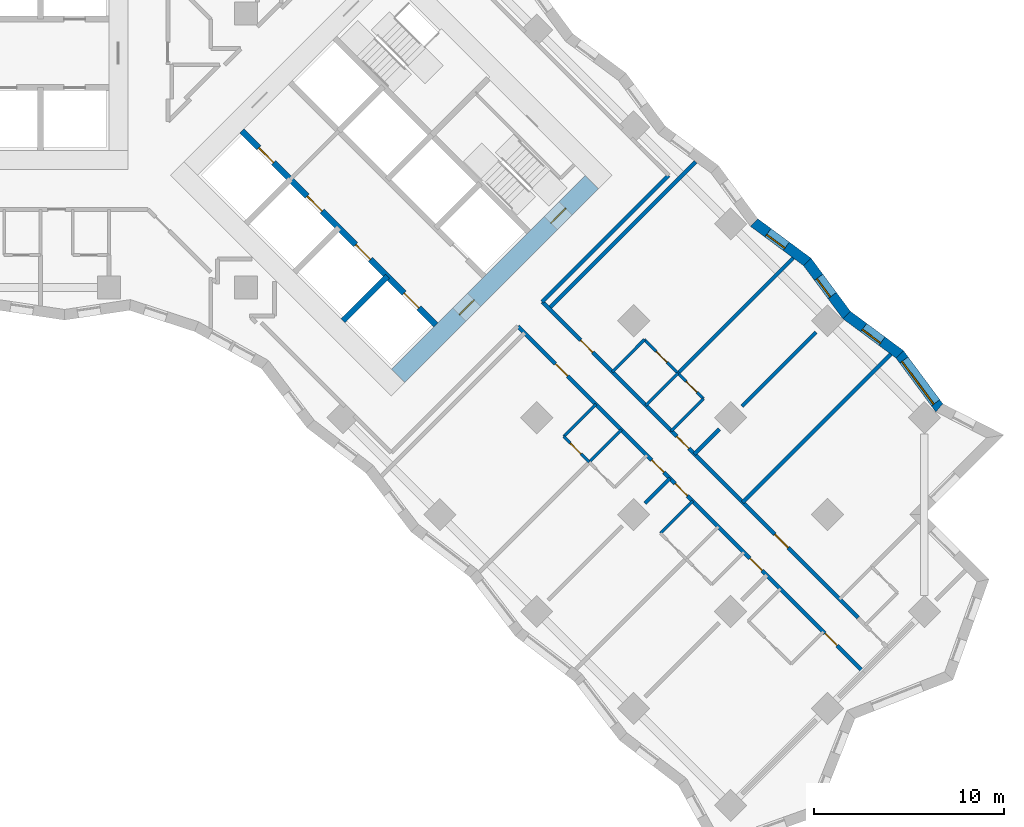
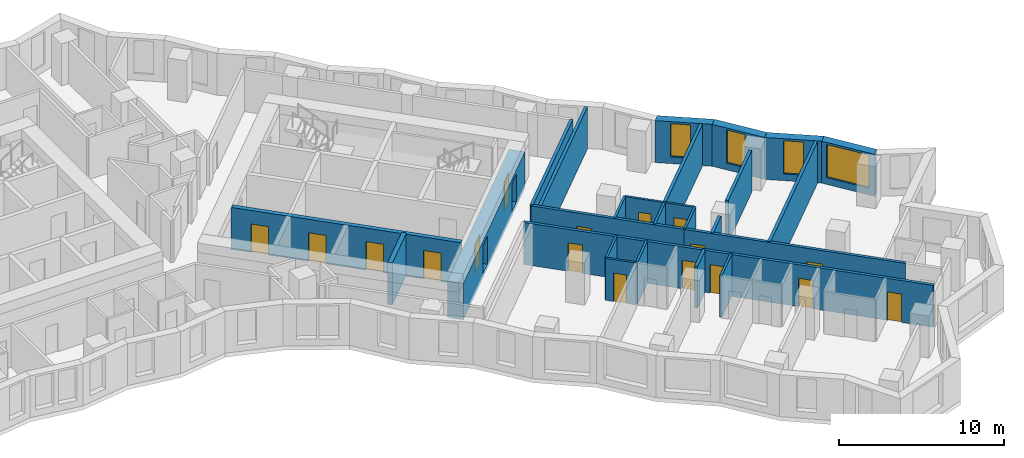
# One storey, part 8 of 12: 25 walls, 17 doors, 4 windows, 21 openings.
"""IFC4 building model written with IfcOpenShell, lengths in metres."""

from ifc_helpers import new_model, si_unit, direction, frame, frame_2d, origin, place, context, subcontext, project, spatial, polyline, rectangle, outline, extrude, material, layer, layer_set, type_object, element, fill, save


model = new_model("IFC4")

# Units and contexts
model_context = context("Model", 3, precision=1e-05, world=origin(), true_north=direction((0.0, 1.0)))
body_context = subcontext(model_context, "Body", "Model", "MODEL_VIEW")
ifc_project = project(units=[si_unit("LENGTHUNIT", "METRE"), si_unit("AREAUNIT", "SQUARE_METRE"), si_unit("VOLUMEUNIT", "CUBIC_METRE"), si_unit("PLANEANGLEUNIT", "RADIAN"), si_unit("MASSUNIT", "GRAM", prefix="KILO")], contexts=[model_context])

# Site, building, storey
site_placement = place(None, origin())
site = spatial("IfcSite", under=ifc_project, at=site_placement, CompositionType="ELEMENT")
building_placement = place(site_placement, origin())
building = spatial("IfcBuilding", under=site, at=building_placement, Name="Windrow Commons", CompositionType="ELEMENT")
storey_placement = place(building_placement, frame((0.0, 0.0, 50.8)))
storey = spatial("IfcBuildingStorey", under=building, at=storey_placement, Name="L13", CompositionType="ELEMENT", Elevation=50.8)

# Wall, opening, window
ifc_material_1 = material(Name="Brick masonry, red clay brick", Category="masonry")
ifc_layer_1 = layer(ifc_material_1, 0.55)
ifc_layer_set_1 = layer_set([ifc_layer_1], Name="Brick facade wall 550")
wall_type_1 = type_object("IfcWallType", Name="Brick facade wall 550", PredefinedType="SOLIDWALL", material=ifc_layer_set_1)
wall_1_placement = place(storey_placement, frame((115.6209, 36.8781, 0.0), z_axis=(0.0, 0.0, 1.0), x_axis=(-0.5951290514, 0.8036301464, 0.0)))
wall_1 = element("IfcWall", 1, at=wall_1_placement, inside=storey, type_object=wall_type_1, Name="Brick facade wall L13 8", PredefinedType="SOLIDWALL", context=body_context, shape_type="SweptSolid", body=[
    extrude(outline(polyline([(0.0645, -0.275), (3.5373, -0.275), (3.4554, 0.275), (-0.0645, 0.275), (0.0645, -0.275)])), origin(), (0.0, 0.0, 1.0), 3.1),
])
opening_1_placement = place(wall_1_placement, frame((0.3277, 0.0, 0.5)))
opening_1 = element("IfcOpeningElement", 2, at=opening_1_placement, cuts=wall_1, Name="Opening W1T", PredefinedType="OPENING", context=body_context, shape_type="SweptSolid", body=[
    extrude(rectangle(XDim=2.8, YDim=2.45, at=frame_2d((1.4, 1.225))), frame((0.0, 0.285, 0.0), z_axis=(0.0, -1.0, 0.0), x_axis=(1.0, 0.0, 0.0)), (0.0, 0.0, 1.0), 0.57),
])
ifc_material_2 = material(Name="Clear float glass in anodised aluminium frame", Category="aluminium")
window_type_1 = type_object("IfcWindowType", Name="Window W1T bedroom 2800x2450", PartitioningType="SINGLE_PANEL", PredefinedType="WINDOW", material=ifc_material_2)
window_1_placement = place(opening_1_placement, origin())
window_1 = element("IfcWindow", 3, at=window_1_placement, inside=storey, type_object=window_type_1, Name="Window L13 8.1", OverallHeight=2.45, OverallWidth=2.8, PartitioningType="SINGLE_PANEL", PredefinedType="WINDOW", context=body_context, shape_type="SweptSolid", body=[
    extrude(rectangle(XDim=2.8, YDim=2.45, at=frame_2d((1.4, 1.225))), frame((0.0, 0.155, 0.0), z_axis=(0.0, -1.0, 0.0), x_axis=(1.0, 0.0, 0.0)), (0.0, 0.0, 1.0), 0.06),
])
fill(opening_1, window_1)

wall_2_placement = place(storey_placement, frame((113.5401, 39.6879, 0.0), z_axis=(0.0, 0.0, 1.0), x_axis=(-0.8036342136, 0.5951235593, 0.0)))
wall_2 = element("IfcWall", 4, at=wall_2_placement, inside=storey, type_object=wall_type_1, Name="Brick facade wall L13 9", PredefinedType="SOLIDWALL", context=body_context, shape_type="SweptSolid", body=[
    extrude(outline(polyline([(-0.041, -0.275), (3.4318, -0.275), (3.5138, 0.275), (0.041, 0.275), (-0.041, -0.275)])), origin(), (0.0, 0.0, 1.0), 3.1),
])
opening_2_placement = place(wall_2_placement, frame((1.1569, 0.0, 0.5)))
opening_2 = element("IfcOpeningElement", 5, at=opening_2_placement, cuts=wall_2, Name="Opening W7D", PredefinedType="OPENING", context=body_context, shape_type="SweptSolid", body=[
    extrude(rectangle(XDim=1.2, YDim=2.45, at=frame_2d((0.6, 1.225))), frame((0.0, 0.285, 0.0), z_axis=(0.0, -1.0, 0.0), x_axis=(1.0, 0.0, 0.0)), (0.0, 0.0, 1.0), 0.57),
])
ifc_material_3 = material(Name="Clear float glass in anodised aluminium frame", Category="aluminium")
window_type_2 = type_object("IfcWindowType", Name="Window W7 notch 1200x2450", PartitioningType="SINGLE_PANEL", PredefinedType="WINDOW", material=ifc_material_3)
window_2_placement = place(opening_2_placement, origin())
window_2 = element("IfcWindow", 6, at=window_2_placement, inside=storey, type_object=window_type_2, Name="Window L13 9.1", OverallHeight=2.45, OverallWidth=1.2, PartitioningType="SINGLE_PANEL", PredefinedType="WINDOW", context=body_context, shape_type="SweptSolid", body=[
    extrude(rectangle(XDim=1.2, YDim=2.45, at=frame_2d((0.6, 1.225))), frame((0.0, 0.155, 0.0), z_axis=(0.0, -1.0, 0.0), x_axis=(1.0, 0.0, 0.0)), (0.0, 0.0, 1.0), 0.06),
])
fill(opening_2, window_2)

wall_3_placement = place(storey_placement, frame((110.7493, 41.7546, 0.0), z_axis=(0.0, 0.0, 1.0), x_axis=(-0.5951283843, 0.8036306404, 0.0)))
wall_3 = element("IfcWall", 7, at=wall_3_placement, inside=storey, type_object=wall_type_1, Name="Brick facade wall L13 10", PredefinedType="SOLIDWALL", context=body_context, shape_type="SweptSolid", body=[
    extrude(outline(polyline([(0.041, -0.275), (3.5138, -0.275), (3.4318, 0.275), (-0.041, 0.275), (0.041, -0.275)])), origin(), (0.0, 0.0, 1.0), 3.1),
])
opening_3_placement = place(wall_3_placement, frame((1.2663, 0.0, 0.5)))
opening_3 = element("IfcOpeningElement", 8, at=opening_3_placement, cuts=wall_3, Name="Opening W7D", PredefinedType="OPENING", context=body_context, shape_type="SweptSolid", body=[
    extrude(rectangle(XDim=1.2, YDim=2.45, at=frame_2d((0.6, 1.225))), frame((0.0, 0.285, 0.0), z_axis=(0.0, -1.0, 0.0), x_axis=(1.0, 0.0, 0.0)), (0.0, 0.0, 1.0), 0.57),
])
window_3_placement = place(opening_3_placement, origin())
window_3 = element("IfcWindow", 9, at=window_3_placement, inside=storey, type_object=window_type_2, Name="Window L13 10.1", OverallHeight=2.45, OverallWidth=1.2, PartitioningType="SINGLE_PANEL", PredefinedType="WINDOW", context=body_context, shape_type="SweptSolid", body=[
    extrude(rectangle(XDim=1.2, YDim=2.45, at=frame_2d((0.6, 1.225))), frame((0.0, 0.155, 0.0), z_axis=(0.0, -1.0, 0.0), x_axis=(1.0, 0.0, 0.0)), (0.0, 0.0, 1.0), 0.06),
])
fill(opening_3, window_3)

wall_4_placement = place(storey_placement, frame((108.6825, 44.5455, 0.0), z_axis=(0.0, 0.0, 1.0), x_axis=(-0.8036342136, 0.5951235593, 0.0)))
wall_4 = element("IfcWall", 10, at=wall_4_placement, inside=storey, type_object=wall_type_1, Name="Brick facade wall L13 11", PredefinedType="SOLIDWALL", context=body_context, shape_type="SweptSolid", body=[
    extrude(outline(polyline([(-0.041, -0.275), (3.4318, -0.275), (3.5138, 0.275), (0.041, 0.275), (-0.041, -0.275)])), origin(), (0.0, 0.0, 1.0), 3.1),
])
opening_4_placement = place(wall_4_placement, frame((1.3703, 0.0, 0.5)))
opening_4 = element("IfcOpeningElement", 11, at=opening_4_placement, cuts=wall_4, Name="Opening W7D", PredefinedType="OPENING", context=body_context, shape_type="SweptSolid", body=[
    extrude(rectangle(XDim=1.2, YDim=2.45, at=frame_2d((0.6, 1.225))), frame((0.0, 0.285, 0.0), z_axis=(0.0, -1.0, 0.0), x_axis=(1.0, 0.0, 0.0)), (0.0, 0.0, 1.0), 0.57),
])
window_4_placement = place(opening_4_placement, origin())
window_4 = element("IfcWindow", 12, at=window_4_placement, inside=storey, type_object=window_type_2, Name="Window L13 11.1", OverallHeight=2.45, OverallWidth=1.2, PartitioningType="SINGLE_PANEL", PredefinedType="WINDOW", context=body_context, shape_type="SweptSolid", body=[
    extrude(rectangle(XDim=1.2, YDim=2.45, at=frame_2d((0.6, 1.225))), frame((0.0, 0.155, 0.0), z_axis=(0.0, -1.0, 0.0), x_axis=(1.0, 0.0, 0.0)), (0.0, 0.0, 1.0), 0.06),
])
fill(opening_4, window_4)

# Wall, openings, doors
ifc_material_4 = material(Name="Blockwork partition", Category="masonry")
ifc_layer_2 = layer(ifc_material_4, 0.2)
ifc_layer_set_2 = layer_set([ifc_layer_2], Name="IW-CORRIDOR-200")
wall_type_2 = type_object("IfcWallType", Name="IW-CORRIDOR-200", PredefinedType="PARTITIONING", material=ifc_layer_set_2)
wall_5_placement = place(storey_placement, frame((93.4806, 41.1666, 0.0), z_axis=(0.0, 0.0, 1.0), x_axis=(0.7071067812, -0.7071067812, 0.0)))
wall_5 = element("IfcWall", 13, at=wall_5_placement, inside=storey, type_object=wall_type_2, Name="W-L13-W000", PredefinedType="PARTITIONING", context=body_context, shape_type="SweptSolid", body=[
    extrude(rectangle(XDim=25.6991, YDim=0.2, at=frame_2d((12.8496, 0.0))), origin(), (0.0, 0.0, 1.0), 3.1),
])
opening_5_placement = place(wall_5_placement, frame((2.8001, 0.0, 0.0)))
opening_5 = element("IfcOpeningElement", 14, at=opening_5_placement, cuts=wall_5, Name="Opening D109F", PredefinedType="OPENING", context=body_context, shape_type="SweptSolid", body=[
    extrude(rectangle(XDim=0.9, YDim=2.1, at=frame_2d((0.45, 1.05))), frame((0.0, 0.11, 0.0), z_axis=(0.0, -1.0, 0.0), x_axis=(1.0, 0.0, 0.0)), (0.0, 0.0, 1.0), 0.22),
])
opening_6_placement = place(wall_5_placement, frame((9.948, 0.0, 0.0)))
opening_6 = element("IfcOpeningElement", 15, at=opening_6_placement, cuts=wall_5, Name="Opening D109S", PredefinedType="OPENING", context=body_context, shape_type="SweptSolid", body=[
    extrude(rectangle(XDim=0.9, YDim=2.1, at=frame_2d((0.45, 1.05))), frame((0.0, 0.11, 0.0), z_axis=(0.0, -1.0, 0.0), x_axis=(1.0, 0.0, 0.0)), (0.0, 0.0, 1.0), 0.22),
])
opening_7_placement = place(wall_5_placement, frame((11.6996, 0.0, 0.0)))
opening_7 = element("IfcOpeningElement", 16, at=opening_7_placement, cuts=wall_5, Name="Opening D109S", PredefinedType="OPENING", context=body_context, shape_type="SweptSolid", body=[
    extrude(rectangle(XDim=0.9, YDim=2.1, at=frame_2d((0.45, 1.05))), frame((0.0, 0.11, 0.0), z_axis=(0.0, -1.0, 0.0), x_axis=(1.0, 0.0, 0.0)), (0.0, 0.0, 1.0), 0.22),
])
opening_8_placement = place(wall_5_placement, frame((17.2496, 0.0, 0.0)))
opening_8 = element("IfcOpeningElement", 17, at=opening_8_placement, cuts=wall_5, Name="Opening D109S", PredefinedType="OPENING", context=body_context, shape_type="SweptSolid", body=[
    extrude(rectangle(XDim=0.9, YDim=2.1, at=frame_2d((0.45, 1.05))), frame((0.0, 0.11, 0.0), z_axis=(0.0, -1.0, 0.0), x_axis=(1.0, 0.0, 0.0)), (0.0, 0.0, 1.0), 0.22),
])
opening_9_placement = place(wall_5_placement, frame((22.8196, 0.0, 0.0)))
opening_9 = element("IfcOpeningElement", 18, at=opening_9_placement, cuts=wall_5, Name="Opening D109F", PredefinedType="OPENING", context=body_context, shape_type="SweptSolid", body=[
    extrude(rectangle(XDim=0.9, YDim=2.1, at=frame_2d((0.45, 1.05))), frame((0.0, 0.11, 0.0), z_axis=(0.0, -1.0, 0.0), x_axis=(1.0, 0.0, 0.0)), (0.0, 0.0, 1.0), 0.22),
])
ifc_material_5 = material(Name="Timber door leaf", Category="wood")
door_type_1 = type_object("IfcDoorType", Name="DT-BEDROOM-900", OperationType="SINGLE_SWING_LEFT", PredefinedType="DOOR", material=ifc_material_5)
door_1_placement = place(opening_5_placement, origin())
door_1 = element("IfcDoor", 19, at=door_1_placement, inside=storey, type_object=door_type_1, Name="D-L13-D038", OperationType="SINGLE_SWING_LEFT", OverallHeight=2.1, OverallWidth=0.9, PredefinedType="DOOR", context=body_context, shape_type="SweptSolid", body=[
    extrude(rectangle(XDim=0.9, YDim=2.1, at=frame_2d((0.45, 1.05))), frame((0.0, 0.025, 0.0), z_axis=(0.0, -1.0, 0.0), x_axis=(1.0, 0.0, 0.0)), (0.0, 0.0, 1.0), 0.05),
])
fill(opening_5, door_1)
door_2_placement = place(opening_6_placement, origin())
door_2 = element("IfcDoor", 20, at=door_2_placement, inside=storey, type_object=door_type_1, Name="D-L13-D040", OperationType="SINGLE_SWING_LEFT", OverallHeight=2.1, OverallWidth=0.9, PredefinedType="DOOR", context=body_context, shape_type="SweptSolid", body=[
    extrude(rectangle(XDim=0.9, YDim=2.1, at=frame_2d((0.45, 1.05))), frame((0.0, 0.025, 0.0), z_axis=(0.0, -1.0, 0.0), x_axis=(1.0, 0.0, 0.0)), (0.0, 0.0, 1.0), 0.05),
])
fill(opening_6, door_2)
door_3_placement = place(opening_7_placement, origin())
door_3 = element("IfcDoor", 21, at=door_3_placement, inside=storey, type_object=door_type_1, Name="D-L13-D042", OperationType="SINGLE_SWING_RIGHT", OverallHeight=2.1, OverallWidth=0.9, PredefinedType="DOOR", context=body_context, shape_type="SweptSolid", body=[
    extrude(rectangle(XDim=0.9, YDim=2.1, at=frame_2d((0.45, 1.05))), frame((0.0, 0.025, 0.0), z_axis=(0.0, -1.0, 0.0), x_axis=(1.0, 0.0, 0.0)), (0.0, 0.0, 1.0), 0.05),
])
fill(opening_7, door_3)
door_4_placement = place(opening_8_placement, origin())
door_4 = element("IfcDoor", 22, at=door_4_placement, inside=storey, type_object=door_type_1, Name="D-L13-D044", OperationType="SINGLE_SWING_LEFT", OverallHeight=2.1, OverallWidth=0.9, PredefinedType="DOOR", context=body_context, shape_type="SweptSolid", body=[
    extrude(rectangle(XDim=0.9, YDim=2.1, at=frame_2d((0.45, 1.05))), frame((0.0, 0.025, 0.0), z_axis=(0.0, -1.0, 0.0), x_axis=(1.0, 0.0, 0.0)), (0.0, 0.0, 1.0), 0.05),
])
fill(opening_8, door_4)
door_5_placement = place(opening_9_placement, origin())
door_5 = element("IfcDoor", 23, at=door_5_placement, inside=storey, type_object=door_type_1, Name="D-L13-D046", OperationType="SINGLE_SWING_RIGHT", OverallHeight=2.1, OverallWidth=0.9, PredefinedType="DOOR", context=body_context, shape_type="SweptSolid", body=[
    extrude(rectangle(XDim=0.9, YDim=2.1, at=frame_2d((0.45, 1.05))), frame((0.0, 0.025, 0.0), z_axis=(0.0, -1.0, 0.0), x_axis=(1.0, 0.0, 0.0)), (0.0, 0.0, 1.0), 0.05),
])
fill(opening_9, door_5)

wall_6_placement = place(storey_placement, frame((111.3515, 25.8555, 0.0), z_axis=(0.0, 0.0, 1.0), x_axis=(-0.7070418597, 0.7071716967, 0.0)))
wall_6 = element("IfcWall", 24, at=wall_6_placement, inside=storey, type_object=wall_type_2, Name="W-L13-W005", PredefinedType="PARTITIONING", context=body_context, shape_type="SweptSolid", body=[
    extrude(rectangle(XDim=13.8635, YDim=0.2, at=frame_2d((6.9318, 0.0))), origin(), (0.0, 0.0, 1.0), 3.1),
])
opening_10_placement = place(wall_6_placement, frame((12.5636, 0.0, 0.0)))
opening_10 = element("IfcOpeningElement", 25, at=opening_10_placement, cuts=wall_6, Name="Opening D109S", PredefinedType="OPENING", context=body_context, shape_type="SweptSolid", body=[
    extrude(rectangle(XDim=0.9, YDim=2.1, at=frame_2d((0.45, 1.05))), frame((0.0, 0.11, 0.0), z_axis=(0.0, -1.0, 0.0), x_axis=(1.0, 0.0, 0.0)), (0.0, 0.0, 1.0), 0.22),
])
opening_11_placement = place(wall_6_placement, frame((5.1899, 0.0, 0.0)))
opening_11 = element("IfcOpeningElement", 26, at=opening_11_placement, cuts=wall_6, Name="Opening D310F", PredefinedType="OPENING", context=body_context, shape_type="SweptSolid", body=[
    extrude(rectangle(XDim=1.0, YDim=2.1, at=frame_2d((0.5, 1.05))), frame((0.0, 0.11, 0.0), z_axis=(0.0, -1.0, 0.0), x_axis=(1.0, 0.0, 0.0)), (0.0, 0.0, 1.0), 0.22),
])
ifc_material_6 = material(Name="Timber door leaf", Category="wood")
door_type_2 = type_object("IfcDoorType", Name="DT-AMENITY-1000", OperationType="SINGLE_SWING_LEFT", PredefinedType="DOOR", material=ifc_material_6)
door_6_placement = place(opening_11_placement, origin())
door_6 = element("IfcDoor", 27, at=door_6_placement, inside=storey, type_object=door_type_2, Name="D-L13-D037", OperationType="SINGLE_SWING_RIGHT", OverallHeight=2.1, OverallWidth=1.0, PredefinedType="DOOR", context=body_context, shape_type="SweptSolid", body=[
    extrude(rectangle(XDim=1.0, YDim=2.1, at=frame_2d((0.5, 1.05))), frame((0.0, 0.025, 0.0), z_axis=(0.0, -1.0, 0.0), x_axis=(1.0, 0.0, 0.0)), (0.0, 0.0, 1.0), 0.05),
])
fill(opening_11, door_6)
door_7_placement = place(opening_10_placement, origin())
door_7 = element("IfcDoor", 28, at=door_7_placement, inside=storey, type_object=door_type_1, Name="D-L13-D035", OperationType="SINGLE_SWING_RIGHT", OverallHeight=2.1, OverallWidth=0.9, PredefinedType="DOOR", context=body_context, shape_type="SweptSolid", body=[
    extrude(rectangle(XDim=0.9, YDim=2.1, at=frame_2d((0.45, 1.05))), frame((0.0, 0.025, 0.0), z_axis=(0.0, -1.0, 0.0), x_axis=(1.0, 0.0, 0.0)), (0.0, 0.0, 1.0), 0.05),
])
fill(opening_10, door_7)

# Wall, opening, door
wall_7_placement = place(storey_placement, frame((94.7615, 42.4455, 0.0), z_axis=(0.0, 0.0, 1.0), x_axis=(0.7071067812, -0.7071067812, 0.0)))
wall_7 = element("IfcWall", 29, at=wall_7_placement, inside=storey, type_object=wall_type_2, Name="W-L13-W012", PredefinedType="PARTITIONING", context=body_context, shape_type="SweptSolid", body=[
    extrude(rectangle(XDim=9.5969, YDim=0.2, at=frame_2d((4.7984, 0.0))), origin(), (0.0, 0.0, 1.0), 3.1),
])
opening_12_placement = place(wall_7_placement, frame((2.8511, 0.0, 0.0)))
opening_12 = element("IfcOpeningElement", 30, at=opening_12_placement, cuts=wall_7, Name="Opening D109F", PredefinedType="OPENING", context=body_context, shape_type="SweptSolid", body=[
    extrude(rectangle(XDim=0.9, YDim=2.1, at=frame_2d((0.45, 1.05))), frame((0.0, 0.11, 0.0), z_axis=(0.0, -1.0, 0.0), x_axis=(1.0, 0.0, 0.0)), (0.0, 0.0, 1.0), 0.22),
])
door_8_placement = place(opening_12_placement, origin())
door_8 = element("IfcDoor", 31, at=door_8_placement, inside=storey, type_object=door_type_1, Name="D-L13-D033", OperationType="SINGLE_SWING_RIGHT", OverallHeight=2.1, OverallWidth=0.9, PredefinedType="DOOR", context=body_context, shape_type="SweptSolid", body=[
    extrude(rectangle(XDim=0.9, YDim=2.1, at=frame_2d((0.45, 1.05))), frame((0.0, 0.025, 0.0), z_axis=(0.0, -1.0, 0.0), x_axis=(1.0, 0.0, 0.0)), (0.0, 0.0, 1.0), 0.05),
])
fill(opening_12, door_8)

# Wall
wall_8_placement = place(storey_placement, frame((94.7569, 42.4451, 0.0), z_axis=(0.0, 0.0, 1.0), x_axis=(0.7071067812, 0.7071067812, 0.0)))
element("IfcWall", 32, at=wall_8_placement, inside=storey, type_object=wall_type_2, Name="W-L13-W014", PredefinedType="PARTITIONING", context=body_context, shape_type="SweptSolid", body=[
    extrude(rectangle(XDim=9.3989, YDim=0.2, at=frame_2d((4.6994, 0.0))), origin(), (0.0, 0.0, 1.0), 3.1),
])

# Wall, openings, doors
ifc_material_7 = material(Name="Blockwork partition", Category="masonry")
ifc_layer_3 = layer(ifc_material_7, 0.15)
ifc_layer_set_3 = layer_set([ifc_layer_3], Name="IW-ENSUITE-150")
wall_type_3 = type_object("IfcWallType", Name="IW-ENSUITE-150", PredefinedType="PARTITIONING", material=ifc_layer_set_3)
wall_9_placement = place(storey_placement, frame((100.1265, 40.4605, 0.0), z_axis=(0.0, 0.0, 1.0), x_axis=(0.7071067812, -0.7071067812, 0.0)))
wall_9 = element("IfcWall", 33, at=wall_9_placement, inside=storey, type_object=wall_type_3, Name="W-L13-W047", PredefinedType="PARTITIONING", context=body_context, shape_type="SweptSolid", body=[
    extrude(rectangle(XDim=4.401, YDim=0.15, at=frame_2d((2.2005, 0.0))), origin(), (0.0, 0.0, 1.0), 3.1),
])
opening_13_placement = place(wall_9_placement, frame((0.883, 0.0, 0.0)))
opening_13 = element("IfcOpeningElement", 34, at=opening_13_placement, cuts=wall_9, Name="Opening D208N", PredefinedType="OPENING", context=body_context, shape_type="SweptSolid", body=[
    extrude(rectangle(XDim=0.8, YDim=2.1, at=frame_2d((0.4, 1.05))), frame((0.0, 0.085, 0.0), z_axis=(0.0, -1.0, 0.0), x_axis=(1.0, 0.0, 0.0)), (0.0, 0.0, 1.0), 0.17),
])
opening_14_placement = place(wall_9_placement, frame((3.1078, 0.0, 0.0)))
opening_14 = element("IfcOpeningElement", 35, at=opening_14_placement, cuts=wall_9, Name="Opening D208N", PredefinedType="OPENING", context=body_context, shape_type="SweptSolid", body=[
    extrude(rectangle(XDim=0.8, YDim=2.1, at=frame_2d((0.4, 1.05))), frame((0.0, 0.085, 0.0), z_axis=(0.0, -1.0, 0.0), x_axis=(1.0, 0.0, 0.0)), (0.0, 0.0, 1.0), 0.17),
])
ifc_material_8 = material(Name="Timber door leaf", Category="wood")
door_type_3 = type_object("IfcDoorType", Name="DT-ENSUITE-800", OperationType="SINGLE_SWING_LEFT", PredefinedType="DOOR", material=ifc_material_8)
door_9_placement = place(opening_13_placement, origin())
door_9 = element("IfcDoor", 36, at=door_9_placement, inside=storey, type_object=door_type_3, Name="D-L13-D034", OperationType="SINGLE_SWING_RIGHT", OverallHeight=2.1, OverallWidth=0.8, PredefinedType="DOOR", context=body_context, shape_type="SweptSolid", body=[
    extrude(rectangle(XDim=0.8, YDim=2.1, at=frame_2d((0.4, 1.05))), frame((0.0, 0.025, 0.0), z_axis=(0.0, -1.0, 0.0), x_axis=(1.0, 0.0, 0.0)), (0.0, 0.0, 1.0), 0.05),
])
fill(opening_13, door_9)
door_10_placement = place(opening_14_placement, origin())
door_10 = element("IfcDoor", 37, at=door_10_placement, inside=storey, type_object=door_type_3, Name="D-L13-D036", OperationType="SINGLE_SWING_RIGHT", OverallHeight=2.1, OverallWidth=0.8, PredefinedType="DOOR", context=body_context, shape_type="SweptSolid", body=[
    extrude(rectangle(XDim=0.8, YDim=2.1, at=frame_2d((0.4, 1.05))), frame((0.0, 0.025, 0.0), z_axis=(0.0, -1.0, 0.0), x_axis=(1.0, 0.0, 0.0)), (0.0, 0.0, 1.0), 0.05),
])
fill(opening_14, door_10)

# Walls
wall_10_placement = place(storey_placement, frame((100.9773, 30.2807, 0.0), z_axis=(0.0, 0.0, 1.0), x_axis=(0.7071067812, 0.7071067812, 0.0)))
element("IfcWall", 38, at=wall_10_placement, inside=storey, type_object=wall_type_3, Name="W-L13-W065", PredefinedType="PARTITIONING", context=body_context, shape_type="SweptSolid", body=[
    extrude(rectangle(XDim=2.4013, YDim=0.15, at=frame_2d((1.2006, 0.0))), origin(), (0.0, 0.0, 1.0), 3.1),
])
for number, where, z_axis, x_axis, name in (
    (39, (97.2344, 34.0256, 0.0), (0.0, 0.0, 1.0), (0.706689978, 0.7075233388, 0.0), "W-L13-W085"),
    (40, (98.4348, 38.7652, 0.0), (0.0, 0.0, 1.0), (0.706689978, 0.7075233388, 0.0), "W-L13-W086"),
    (41, (100.2026, 36.9974, 0.0), (0.0, 0.0, 1.0), (0.706689978, 0.7075233388, 0.0), "W-L13-W087"),
):
    element("IfcWall", number, at=place(storey_placement, frame(where, z_axis=z_axis, x_axis=x_axis)), inside=storey, type_object=wall_type_3, Name=name, PredefinedType="PARTITIONING", context=body_context, shape_type="SweptSolid", body=[
        extrude(rectangle(XDim=2.3999, YDim=0.15, at=frame_2d((1.2, 0.0))), origin(), (0.0, 0.0, 1.0), 3.1),
    ])
for number, where, z_axis, x_axis, name in (
    (42, (95.8871, 35.3729, 0.0), (0.0, 0.0, 1.0), (0.7071067812, 0.7071067812, 0.0), "W-L13-W089"),
    (43, (101.5451, 35.6569, 0.0), (0.0, 0.0, 1.0), (0.7071067812, 0.7071067812, 0.0), "W-L13-W090"),
):
    element("IfcWall", number, at=place(storey_placement, frame(where, z_axis=z_axis, x_axis=x_axis)), inside=storey, type_object=wall_type_3, Name=name, PredefinedType="PARTITIONING", context=body_context, shape_type="SweptSolid", body=[
        extrude(rectangle(XDim=2.3985, YDim=0.15, at=frame_2d((1.1992, 0.0))), origin(), (0.0, 0.0, 1.0), 3.1),
    ])

# Wall, opening, door
wall_11_placement = place(storey_placement, frame((95.8846, 35.3686, 0.0), z_axis=(0.0, 0.0, 1.0), x_axis=(0.7071067812, -0.7071067812, 0.0)))
wall_11 = element("IfcWall", 44, at=wall_11_placement, inside=storey, type_object=wall_type_3, Name="W-L13-W107", PredefinedType="PARTITIONING", context=body_context, shape_type="SweptSolid", body=[
    extrude(rectangle(XDim=1.9007, YDim=0.15, at=frame_2d((0.9504, 0.0))), origin(), (0.0, 0.0, 1.0), 3.1),
])
opening_15_placement = place(wall_11_placement, frame((0.493, 0.0, 0.0)))
opening_15 = element("IfcOpeningElement", 45, at=opening_15_placement, cuts=wall_11, Name="Opening D208N", PredefinedType="OPENING", context=body_context, shape_type="SweptSolid", body=[
    extrude(rectangle(XDim=0.8, YDim=2.1, at=frame_2d((0.4, 1.05))), frame((0.0, 0.085, 0.0), z_axis=(0.0, -1.0, 0.0), x_axis=(1.0, 0.0, 0.0)), (0.0, 0.0, 1.0), 0.17),
])
door_11_placement = place(opening_15_placement, origin())
door_11 = element("IfcDoor", 46, at=door_11_placement, inside=storey, type_object=door_type_3, Name="D-L13-D039", OperationType="SINGLE_SWING_RIGHT", OverallHeight=2.1, OverallWidth=0.8, PredefinedType="DOOR", context=body_context, shape_type="SweptSolid", body=[
    extrude(rectangle(XDim=0.8, YDim=2.1, at=frame_2d((0.4, 1.05))), frame((0.0, 0.025, 0.0), z_axis=(0.0, -1.0, 0.0), x_axis=(1.0, 0.0, 0.0)), (0.0, 0.0, 1.0), 0.05),
])
fill(opening_15, door_11)

# Walls
ifc_material_9 = material(Name="Blockwork partition", Category="masonry")
ifc_layer_4 = layer(ifc_material_9, 0.2)
ifc_layer_set_4 = layer_set([ifc_layer_4], Name="IW-PARTY-200")
wall_type_4 = type_object("IfcWallType", Name="IW-PARTY-200", PredefinedType="PARTITIONING", material=ifc_layer_set_4)
wall_12_placement = place(storey_placement, frame((105.2918, 31.9082, 0.0), z_axis=(0.0, 0.0, 1.0), x_axis=(0.7071022382, 0.7071113241, 0.0)))
element("IfcWall", 47, at=wall_12_placement, inside=storey, type_object=wall_type_4, Name="W-L13-W007", PredefinedType="PARTITIONING", context=body_context, shape_type="SweptSolid", body=[
    extrude(rectangle(XDim=11.006, YDim=0.2, at=frame_2d((5.503, 0.0))), origin(), (0.0, 0.0, 1.0), 3.1),
])
wall_13_placement = place(storey_placement, frame((95.1094, 42.0906, 0.0), z_axis=(0.0, 0.0, 1.0), x_axis=(0.7071113651, 0.7071021972, 0.0)))
element("IfcWall", 48, at=wall_13_placement, inside=storey, type_object=wall_type_4, Name="W-L13-W008", PredefinedType="PARTITIONING", context=body_context, shape_type="SweptSolid", body=[
    extrude(rectangle(XDim=10.9076, YDim=0.2, at=frame_2d((5.4538, 0.0))), origin(), (0.0, 0.0, 1.0), 3.1),
])
wall_14_placement = place(storey_placement, frame((101.8958, 38.6982, 0.0), z_axis=(0.0, 0.0, 1.0), x_axis=(0.7072294804, 0.7069840607, 0.0)))
element("IfcWall", 49, at=wall_14_placement, inside=storey, type_object=wall_type_4, Name="W-L13-W015", PredefinedType="PARTITIONING", context=body_context, shape_type="SweptSolid", body=[
    extrude(rectangle(XDim=8.5568, YDim=0.2, at=frame_2d((4.2784, 0.0))), origin(), (0.0, 0.0, 1.0), 3.1),
])
wall_15_placement = place(storey_placement, frame((105.2552, 36.9628, 0.0), z_axis=(0.0, 0.0, 1.0), x_axis=(0.7071067812, 0.7071067812, 0.0)))
element("IfcWall", 50, at=wall_15_placement, inside=storey, type_object=wall_type_4, Name="W-L13-W037", PredefinedType="PARTITIONING", context=body_context, shape_type="SweptSolid", body=[
    extrude(rectangle(XDim=5.5041, YDim=0.2, at=frame_2d((2.7521, 0.0))), origin(), (0.0, 0.0, 1.0), 3.1),
])
wall_16_placement = place(storey_placement, frame((100.1632, 31.8708, 0.0), z_axis=(0.0, 0.0, 1.0), x_axis=(0.7071067812, 0.7071067812, 0.0)))
element("IfcWall", 51, at=wall_16_placement, inside=storey, type_object=wall_type_4, Name="W-L13-W121", PredefinedType="PARTITIONING", context=body_context, shape_type="SweptSolid", body=[
    extrude(rectangle(XDim=1.8526, YDim=0.2, at=frame_2d((0.9263, 0.0))), origin(), (0.0, 0.0, 1.0), 3.1),
])
wall_17_placement = place(storey_placement, frame((102.7504, 34.4496, 0.0), z_axis=(0.0, 0.0, 1.0), x_axis=(0.7065663865, 0.7076467632, 0.0)))
element("IfcWall", 52, at=wall_17_placement, inside=storey, type_object=wall_type_4, Name="W-L13-W124", PredefinedType="PARTITIONING", context=body_context, shape_type="SweptSolid", body=[
    extrude(rectangle(XDim=1.8512, YDim=0.2, at=frame_2d((0.9256, 0.0))), origin(), (0.0, 0.0, 1.0), 3.1),
])

# Wall, openings, doors
ifc_material_10 = material(Name="Concrete C60/75", Category="concrete")
ifc_layer_5 = layer(ifc_material_10, 1.0)
ifc_layer_set_5 = layer_set([ifc_layer_5], Name="RC CORE WALL 1000 C60/75")
wall_type_5 = type_object("IfcWallType", Name="RC CORE WALL 1000 C60/75", PredefinedType="SHEAR", material=ifc_layer_set_5)
wall_18_placement = place(storey_placement, frame((87.1903, 38.5538, -0.3), z_axis=(0.0, 0.0, 1.0), x_axis=(0.707103309, 0.7071102534, 0.0)))
wall_18 = element("IfcWall", 53, at=wall_18_placement, inside=storey, type_object=wall_type_5, Name="Core B wall outer-E", PredefinedType="SHEAR", context=body_context, shape_type="SweptSolid", body=[
    extrude(rectangle(XDim=14.4, YDim=1.0, at=frame_2d((7.2, 0.0))), origin(), (0.0, 0.0, 1.0), 2.7),
])
opening_16_placement = place(wall_18_placement, frame((4.55, 0.0, 0.3)))
opening_16 = element("IfcOpeningElement", 54, at=opening_16_placement, cuts=wall_18, Name="Opening D6", PredefinedType="OPENING", context=body_context, shape_type="SweptSolid", body=[
    extrude(rectangle(XDim=1.1, YDim=2.1, at=frame_2d((0.55, 1.05))), frame((0.0, 0.51, 0.0), z_axis=(0.0, -1.0, 0.0), x_axis=(1.0, 0.0, 0.0)), (0.0, 0.0, 1.0), 1.02),
])
opening_17_placement = place(wall_18_placement, frame((11.35, 0.0, 0.3)))
opening_17 = element("IfcOpeningElement", 55, at=opening_17_placement, cuts=wall_18, Name="Opening D7", PredefinedType="OPENING", context=body_context, shape_type="SweptSolid", body=[
    extrude(rectangle(XDim=1.1, YDim=2.1, at=frame_2d((0.55, 1.05))), frame((0.0, 0.51, 0.0), z_axis=(0.0, -1.0, 0.0), x_axis=(1.0, 0.0, 0.0)), (0.0, 0.0, 1.0), 1.02),
])
ifc_material_11 = material(Name="Steel fire door leaf", Category="steel")
door_type_4 = type_object("IfcDoorType", Name="Core lobby door 1100", OperationType="SINGLE_SWING_LEFT", PredefinedType="DOOR", material=ifc_material_11)
door_12_placement = place(opening_16_placement, origin())
door_12 = element("IfcDoor", 56, at=door_12_placement, inside=storey, type_object=door_type_4, Name="Lift lobby door", OperationType="DOUBLE_DOOR_SINGLE_SWING", OverallHeight=2.1, OverallWidth=1.1, PredefinedType="DOOR", context=body_context, shape_type="SweptSolid", body=[
    extrude(rectangle(XDim=1.1, YDim=2.1, at=frame_2d((0.55, 1.05))), frame((0.0, 0.025, 0.0), z_axis=(0.0, -1.0, 0.0), x_axis=(1.0, 0.0, 0.0)), (0.0, 0.0, 1.0), 0.05),
])
fill(opening_16, door_12)
ifc_material_12 = material(Name="Steel fire door leaf", Category="steel")
door_type_5 = type_object("IfcDoorType", Name="Stair door 1100", OperationType="SINGLE_SWING_LEFT", PredefinedType="DOOR", material=ifc_material_12)
door_13_placement = place(opening_17_placement, origin())
door_13 = element("IfcDoor", 57, at=door_13_placement, inside=storey, type_object=door_type_5, Name="Stair door", OperationType="SINGLE_SWING_RIGHT", OverallHeight=2.1, OverallWidth=1.1, PredefinedType="DOOR", context=body_context, shape_type="SweptSolid", body=[
    extrude(rectangle(XDim=1.1, YDim=2.1, at=frame_2d((0.55, 1.05))), frame((0.0, 0.025, 0.0), z_axis=(0.0, -1.0, 0.0), x_axis=(1.0, 0.0, 0.0)), (0.0, 0.0, 1.0), 0.05),
])
fill(opening_17, door_13)

# Wall
ifc_material_13 = material(Name="Concrete C60/75", Category="concrete")
ifc_layer_6 = layer(ifc_material_13, 0.3)
ifc_layer_set_6 = layer_set([ifc_layer_6], Name="RC SHAFT WALL 300 C60/75")
wall_type_6 = type_object("IfcWallType", Name="RC SHAFT WALL 300 C60/75", PredefinedType="SOLIDWALL", material=ifc_layer_set_6)
wall_19_placement = place(storey_placement, frame((84.2912, 41.453, 0.0), z_axis=(0.0, 0.0, 1.0), x_axis=(0.7071067812, 0.7071067812, 0.0)))
element("IfcWall", 58, at=wall_19_placement, inside=storey, type_object=wall_type_6, Name="Core B wall shaft-S3", PredefinedType="SOLIDWALL", context=body_context, shape_type="SweptSolid", body=[
    extrude(rectangle(XDim=3.2999, YDim=0.3, at=frame_2d((1.65, 0.0))), origin(), (0.0, 0.0, 1.0), 3.1),
])

# Wall, openings, doors
wall_20_placement = place(storey_placement, frame((78.9879, 51.4232, 0.0), z_axis=(0.0, 0.0, 1.0), x_axis=(0.7071067812, -0.7071067812, 0.0)))
wall_20 = element("IfcWall", 59, at=wall_20_placement, inside=storey, type_object=wall_type_6, Name="Core B wall lobby-S", PredefinedType="SOLIDWALL", context=body_context, shape_type="SweptSolid", body=[
    extrude(rectangle(XDim=14.3999, YDim=0.3, at=frame_2d((7.2, 0.0))), origin(), (0.0, 0.0, 1.0), 3.1),
])
opening_18_placement = place(wall_20_placement, frame((1.25, 0.0, 0.0)))
opening_18 = element("IfcOpeningElement", 60, at=opening_18_placement, cuts=wall_20, Name="Opening LD", PredefinedType="OPENING", context=body_context, shape_type="SweptSolid", body=[
    extrude(rectangle(XDim=1.1, YDim=2.1, at=frame_2d((0.55, 1.05))), frame((0.0, 0.16, 0.0), z_axis=(0.0, -1.0, 0.0), x_axis=(1.0, 0.0, 0.0)), (0.0, 0.0, 1.0), 0.32),
])
opening_19_placement = place(wall_20_placement, frame((4.85, 0.0, 0.0)))
opening_19 = element("IfcOpeningElement", 61, at=opening_19_placement, cuts=wall_20, Name="Opening LD", PredefinedType="OPENING", context=body_context, shape_type="SweptSolid", body=[
    extrude(rectangle(XDim=1.1, YDim=2.1, at=frame_2d((0.55, 1.05))), frame((0.0, 0.16, 0.0), z_axis=(0.0, -1.0, 0.0), x_axis=(1.0, 0.0, 0.0)), (0.0, 0.0, 1.0), 0.32),
])
opening_20_placement = place(wall_20_placement, frame((8.45, 0.0, 0.0)))
opening_20 = element("IfcOpeningElement", 62, at=opening_20_placement, cuts=wall_20, Name="Opening LD", PredefinedType="OPENING", context=body_context, shape_type="SweptSolid", body=[
    extrude(rectangle(XDim=1.1, YDim=2.1, at=frame_2d((0.55, 1.05))), frame((0.0, 0.16, 0.0), z_axis=(0.0, -1.0, 0.0), x_axis=(1.0, 0.0, 0.0)), (0.0, 0.0, 1.0), 0.32),
])
opening_21_placement = place(wall_20_placement, frame((12.05, 0.0, 0.0)))
opening_21 = element("IfcOpeningElement", 63, at=opening_21_placement, cuts=wall_20, Name="Opening LD", PredefinedType="OPENING", context=body_context, shape_type="SweptSolid", body=[
    extrude(rectangle(XDim=1.1, YDim=2.1, at=frame_2d((0.55, 1.05))), frame((0.0, 0.16, 0.0), z_axis=(0.0, -1.0, 0.0), x_axis=(1.0, 0.0, 0.0)), (0.0, 0.0, 1.0), 0.32),
])
ifc_material_14 = material(Name="Stainless steel door leaf", Category="steel")
door_type_6 = type_object("IfcDoorType", Name="Lift landing door 1100", OperationType="SLIDING_TO_LEFT", PredefinedType="DOOR", material=ifc_material_14)
door_14_placement = place(opening_18_placement, origin())
door_14 = element("IfcDoor", 64, at=door_14_placement, inside=storey, type_object=door_type_6, Name="Lift landing door", OperationType="SLIDING_TO_LEFT", OverallHeight=2.1, OverallWidth=1.1, PredefinedType="DOOR", context=body_context, shape_type="SweptSolid", body=[
    extrude(rectangle(XDim=1.1, YDim=2.1, at=frame_2d((0.55, 1.05))), frame((0.0, 0.025, 0.0), z_axis=(0.0, -1.0, 0.0), x_axis=(1.0, 0.0, 0.0)), (0.0, 0.0, 1.0), 0.05),
])
fill(opening_18, door_14)
door_15_placement = place(opening_19_placement, origin())
door_15 = element("IfcDoor", 65, at=door_15_placement, inside=storey, type_object=door_type_6, Name="Lift landing door", OperationType="SLIDING_TO_RIGHT", OverallHeight=2.1, OverallWidth=1.1, PredefinedType="DOOR", context=body_context, shape_type="SweptSolid", body=[
    extrude(rectangle(XDim=1.1, YDim=2.1, at=frame_2d((0.55, 1.05))), frame((0.0, 0.025, 0.0), z_axis=(0.0, -1.0, 0.0), x_axis=(1.0, 0.0, 0.0)), (0.0, 0.0, 1.0), 0.05),
])
fill(opening_19, door_15)
door_16_placement = place(opening_20_placement, origin())
door_16 = element("IfcDoor", 66, at=door_16_placement, inside=storey, type_object=door_type_6, Name="Lift landing door", OperationType="SLIDING_TO_LEFT", OverallHeight=2.1, OverallWidth=1.1, PredefinedType="DOOR", context=body_context, shape_type="SweptSolid", body=[
    extrude(rectangle(XDim=1.1, YDim=2.1, at=frame_2d((0.55, 1.05))), frame((0.0, 0.025, 0.0), z_axis=(0.0, -1.0, 0.0), x_axis=(1.0, 0.0, 0.0)), (0.0, 0.0, 1.0), 0.05),
])
fill(opening_20, door_16)
door_17_placement = place(opening_21_placement, origin())
door_17 = element("IfcDoor", 67, at=door_17_placement, inside=storey, type_object=door_type_6, Name="Lift landing door", OperationType="SLIDING_TO_RIGHT", OverallHeight=2.1, OverallWidth=1.1, PredefinedType="DOOR", context=body_context, shape_type="SweptSolid", body=[
    extrude(rectangle(XDim=1.1, YDim=2.1, at=frame_2d((0.55, 1.05))), frame((0.0, 0.025, 0.0), z_axis=(0.0, -1.0, 0.0), x_axis=(1.0, 0.0, 0.0)), (0.0, 0.0, 1.0), 0.05),
])
fill(opening_21, door_17)

save(model, "model.ifc")
